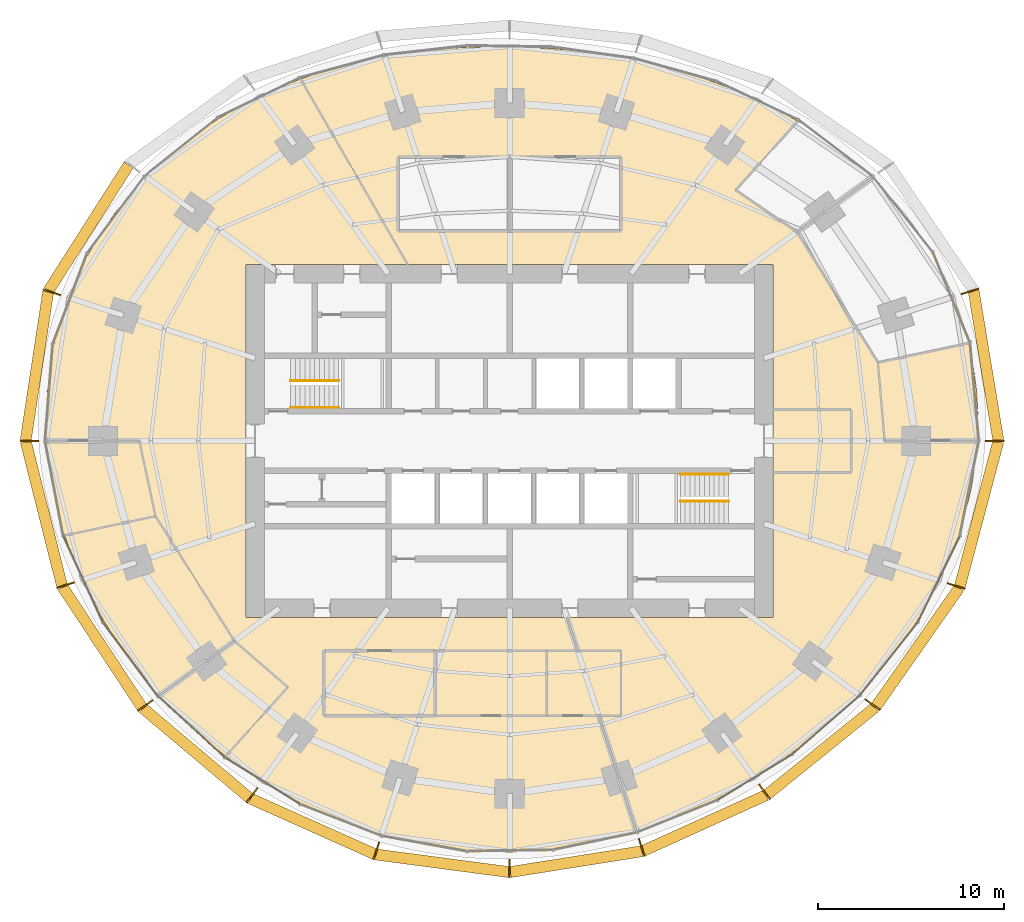
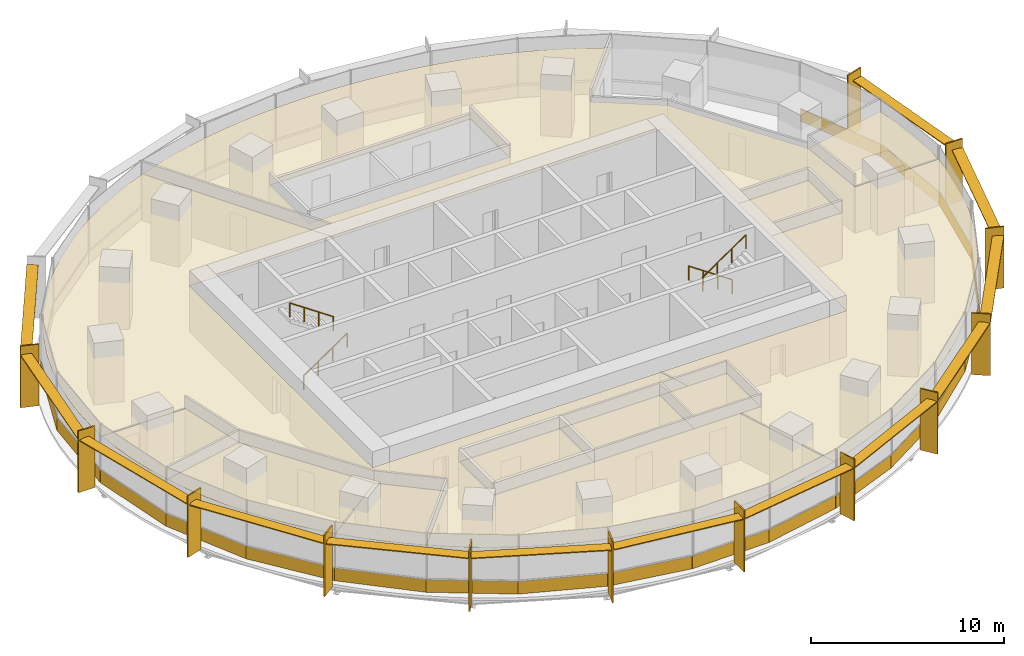
# One storey, part 13 of 14: 29 coverings, 26 shading devices, 4 railings.
"""IFC4 building model written with IfcOpenShell, lengths in metres."""

import ifcopenshell
import ifcopenshell.guid

model = None  # the IFC model being written
_history = None  # IfcOwnerHistory: only IFC2X3 demands one
_inside = {}  # id of a spatial element -> (the spatial element, [elements in it])
_under = {}  # id of a project, library or spatial element -> (it, [spatial elements below it])
_declared = {}  # id of a project -> (the project, [libraries it declares])
_typed = {}  # id of a type object -> (the type object, [elements of that type])
_made_of = {}  # id of a material, layer set ... -> (it, [elements and type objects made of it])


def new_model(schema):
    """Start an empty IFC model of exactly this schema.

    Asked for "IFC4X3", IfcOpenShell would pick the latest addendum, in which some entities
    have other attributes; the version numbers below select the first issue.
    IFC2X3 requires an IfcOwnerHistory on every rooted entity: one is made here for all.
    """
    global model, _history
    if schema == "IFC4X3":
        model = ifcopenshell.file(schema_version=(4, 3, 0, 0))
    else:
        model = ifcopenshell.file(schema=schema)
    _inside.clear()
    _under.clear()
    _declared.clear()
    _typed.clear()
    _made_of.clear()
    _history = None
    if model.schema == "IFC2X3":
        org = make("IfcOrganization", Name="unknown")
        user = make(
            "IfcPersonAndOrganization",
            ThePerson=make("IfcPerson", FamilyName="unknown"),
            TheOrganization=org,
        )
        app = make(
            "IfcApplication",
            ApplicationDeveloper=org,
            Version="unknown",
            ApplicationFullName="unknown",
            ApplicationIdentifier="unknown",
        )
        _history = make(
            "IfcOwnerHistory",
            OwningUser=user,
            OwningApplication=app,
            ChangeAction="ADDED",
            CreationDate=0,
        )
    return model


def make(cls, **values):
    """One entity of the class cls with the attributes given. An attribute that is None is left unset."""
    return model.create_entity(
        cls, **{name: value for name, value in values.items() if value is not None}
    )


def rooted(cls, **values):
    """An entity with a GlobalId (a new one), such as an element, a storey or a relation."""
    return make(cls, GlobalId=ifcopenshell.guid.new(), OwnerHistory=_history, **values)


def si_unit(unit_type, name, prefix=None):
    """IfcSIUnit, for example si_unit("LENGTHUNIT", "METRE", prefix="MILLI")."""
    return make("IfcSIUnit", UnitType=unit_type, Prefix=prefix, Name=name)


def assignment(units):
    """IfcUnitAssignment: the units of a project."""
    return None if units is None else make("IfcUnitAssignment", Units=units)


def point(xyz):
    """IfcCartesianPoint."""
    return None if xyz is None else make("IfcCartesianPoint", Coordinates=xyz)


def direction(xyz):
    """IfcDirection."""
    return None if xyz is None else make("IfcDirection", DirectionRatios=xyz)


def frame(location, z_axis=None, x_axis=None):
    """IfcAxis2Placement3D, a coordinate frame: its origin and axes. An axis left out is left unset."""
    return make(
        "IfcAxis2Placement3D",
        Location=point(location),
        Axis=direction(z_axis),
        RefDirection=direction(x_axis),
    )


def frame_2d(location, x_axis=None):
    """IfcAxis2Placement2D, a coordinate frame in the plane: its origin and x axis."""
    return make(
        "IfcAxis2Placement2D", Location=point(location), RefDirection=direction(x_axis)
    )


def origin():
    """The frame at (0, 0, 0) with its axes left unset."""
    return frame((0.0, 0.0, 0.0))


def origin_2d():
    """The frame at (0, 0) in the plane with its x axis left unset."""
    return frame_2d((0.0, 0.0))


def place(relative_to, where):
    """IfcLocalPlacement: puts the frame where relative to a parent placement (None: the world)."""
    return make(
        "IfcLocalPlacement", PlacementRelTo=relative_to, RelativePlacement=where
    )


def context(
    kind, dimensions, precision=None, world=None, true_north=None, identifier=None
):
    """IfcGeometricRepresentationContext, for example the 3D "Model" context."""
    return make(
        "IfcGeometricRepresentationContext",
        ContextIdentifier=identifier,
        ContextType=kind,
        CoordinateSpaceDimension=dimensions,
        Precision=precision,
        WorldCoordinateSystem=world,
        TrueNorth=true_north,
    )


def subcontext(parent, identifier, kind, view, scale=None):
    """IfcGeometricRepresentationSubContext, for example "Body" below "Model"."""
    return make(
        "IfcGeometricRepresentationSubContext",
        ContextIdentifier=identifier,
        ContextType=kind,
        ParentContext=parent,
        TargetScale=scale,
        TargetView=view,
    )


def project(units=None, contexts=None):
    """IfcProject with its units and contexts."""
    return rooted(
        "IfcProject",
        Name="project",
        RepresentationContexts=contexts,
        UnitsInContext=assignment(units),
    )


def spatial(cls, under=None, at=None, **own):
    """A site, building, storey or space (cls), placed at a placement, below another one or the project."""
    s = rooted(cls, ObjectPlacement=at, **own)
    if under is not None:
        _under.setdefault(under.id(), (under, []))[1].append(s)
    return s


def polyline(points):
    """IfcPolyline through the points."""
    return make("IfcPolyline", Points=[point(p) for p in points])


def profile(cls, at=None, kind="AREA", **sizes):
    """A parametric profile (cls). Its sizes go by their IFC names, for example OverallWidth=200.0."""
    return make(cls, ProfileType=kind, Position=at, **sizes)


def rectangle(**sizes):
    """IfcRectangleProfileDef."""
    return profile("IfcRectangleProfileDef", **sizes)


def circle(**sizes):
    """IfcCircleProfileDef."""
    return profile("IfcCircleProfileDef", **sizes)


def outline(outer, holes=None, kind="AREA"):
    """IfcArbitraryClosedProfileDef: a profile drawn as a closed curve; with holes, ...WithVoids."""
    if holes is None:
        return make("IfcArbitraryClosedProfileDef", ProfileType=kind, OuterCurve=outer)
    return make(
        "IfcArbitraryProfileDefWithVoids",
        ProfileType=kind,
        OuterCurve=outer,
        InnerCurves=holes,
    )


def extrude(swept, where, along, depth):
    """IfcExtrudedAreaSolid: the profile swept, set in the frame where, extruded along a direction by depth."""
    return make(
        "IfcExtrudedAreaSolid",
        SweptArea=swept,
        Position=where,
        ExtrudedDirection=direction(along),
        Depth=depth,
    )


def shape(context_of_items, identifier, shape_type, items):
    """IfcShapeRepresentation: the items that make up one representation, for example the "Body"."""
    return make(
        "IfcShapeRepresentation",
        ContextOfItems=context_of_items,
        RepresentationIdentifier=identifier,
        RepresentationType=shape_type,
        Items=items,
    )


def material(Name=None, Category=None):
    """IfcMaterial."""
    return make("IfcMaterial", Name=Name, Category=Category)


def layer(
    of_material, thickness, ventilated=None, Name=None, Category=None, Priority=None
):
    """IfcMaterialLayer: one layer of a wall or slab, of a material (None: an air gap)."""
    return make(
        "IfcMaterialLayer",
        Material=of_material,
        LayerThickness=thickness,
        IsVentilated=ventilated,
        Name=Name,
        Category=Category,
        Priority=Priority,
    )


def layer_set(layers, Name=None):
    """IfcMaterialLayerSet."""
    return make("IfcMaterialLayerSet", MaterialLayers=layers, LayerSetName=Name)


def made_of(thing, what):
    """Note that an element or type object is made of a material, layer set ...; save() writes the relation."""
    if what is not None:
        _made_of.setdefault(what.id(), (what, []))[1].append(thing)
    return thing


def type_object(cls, material=None, **own):
    """A type object (cls), such as IfcWallType, which elements share."""
    return made_of(rooted(cls, **own), material)


def element(
    cls,
    number,
    at=None,
    inside=None,
    cuts=None,
    type_object=None,
    material=None,
    context=None,
    identifier="Body",
    shape_type=None,
    held_by="IfcProductDefinitionShape",
    body=None,
    shapes=None,
    **own,
):
    """One element of the class cls, such as IfcWall. Its Tag is "e" and its number.

    at: its placement. inside: the storey or other place that contains it. cuts: it is an
    opening in that element (IfcRelVoidsElement). A single representation is given by context,
    identifier, shape_type and body (its items); several are given by shapes. held_by: the class
    of the entity that holds the representations. save() writes the other relations.
    """
    e = rooted(cls, Tag="e%d" % number, ObjectPlacement=at, **own)
    if body is not None:
        shapes = [shape(context, identifier, shape_type, body)]
    if shapes is not None:
        e.Representation = make(held_by, Representations=shapes)
    if inside is not None:
        _inside.setdefault(inside.id(), (inside, []))[1].append(e)
    if cuts is not None:
        rooted(
            "IfcRelVoidsElement", RelatingBuildingElement=cuts, RelatedOpeningElement=e
        )
    if type_object is not None:
        _typed.setdefault(type_object.id(), (type_object, []))[1].append(e)
    return made_of(e, material)


def aggregate(whole, parts):
    """IfcRelAggregates: a whole, such as a stair, and the parts it consists of."""
    return rooted("IfcRelAggregates", RelatingObject=whole, RelatedObjects=parts)


def save(model, path):
    """Write the relations noted so far, then the file.

    IfcRelAggregates (storeys below a building ...), IfcRelContainedInSpatialStructure (elements
    in a storey), IfcRelDefinesByType, IfcRelAssociatesMaterial and IfcRelDeclares: one each for
    every whole, place, type object, material and project.
    """
    for whole, parts in _under.values():
        aggregate(whole, parts)
    for where, things in _inside.values():
        rooted(
            "IfcRelContainedInSpatialStructure",
            RelatedElements=things,
            RelatingStructure=where,
        )
    for kind, things in _typed.values():
        rooted("IfcRelDefinesByType", RelatedObjects=things, RelatingType=kind)
    for what, things in _made_of.values():
        rooted("IfcRelAssociatesMaterial", RelatedObjects=things, RelatingMaterial=what)
    for by, libraries in _declared.values():
        rooted("IfcRelDeclares", RelatingContext=by, RelatedDefinitions=libraries)
    model.write(path)


model = new_model("IFC4")

# Units and contexts
model_context = context("Model", 3, precision=1e-05, world=origin(), true_north=direction((0.0, 1.0)))
body_context = subcontext(model_context, "Body", "Model", "MODEL_VIEW")
ifc_project = project(units=[si_unit("LENGTHUNIT", "METRE"), si_unit("AREAUNIT", "SQUARE_METRE"), si_unit("VOLUMEUNIT", "CUBIC_METRE"), si_unit("PLANEANGLEUNIT", "RADIAN"), si_unit("MASSUNIT", "GRAM", prefix="KILO")], contexts=[model_context])

# Site, building, storey
site_placement = place(None, origin())
site = spatial("IfcSite", under=ifc_project, at=site_placement, CompositionType="ELEMENT")
building_placement = place(site_placement, origin())
building = spatial("IfcBuilding", under=site, at=building_placement, Name="Marramba Exchange Tower", CompositionType="ELEMENT")
storey_placement = place(building_placement, frame((0.0, 0.0, 96.300048828125)))
storey = spatial("IfcBuildingStorey", under=building, at=storey_placement, Name="L22", CompositionType="ELEMENT", Elevation=96.300048828125)

# Shading devices
ifc_material_1 = material(Name="Aluminium blade, timber-look bronze finish", Category="wood")
ifc_layer_1 = layer(ifc_material_1, 0.080078125)
ifc_layer_set_1 = layer_set([ifc_layer_1], Name="Floor-edge blade 1000x80")
shading_device_type_1 = type_object("IfcShadingDeviceType", Name="Floor-edge blade 1000x80", PredefinedType="USERDEFINED", material=ifc_layer_set_1)
for number, where, z_axis, x_axis, name in (
    (1, (26.132080078125, 0.0, -0.159912109375), (0.0, 0.0, 1.0), (1.0, 0.0, 0.0), "Floor-edge blade FB1 L22 TC01"),
    (2, (24.798583984375, 8.0576171875, -0.159912109375), (0.0, 0.0, 1.0), (0.951056516295, 0.309016994375, 0.0), "Floor-edge blade FB1 L22 TC02"),
    (3, (-24.653076171875, 8.01025390625, -0.159912109375), (0.0, 0.0, 1.0), (-0.951056516295, 0.309016994375, 0.0), "Floor-edge blade FB1 L22 TC10"),
    (4, (-25.867919921875, 0.0, -0.159912109375), (0.0, 0.0, 1.0), (-1.0, 0.0, 0.0), "Floor-edge blade FB1 L22 TC11"),
    (5, (-23.90673828125, -7.767822265625, -0.159912109375), (0.0, 0.0, 1.0), (-0.951056516295, -0.309016994375, 0.0), "Floor-edge blade FB1 L22 TC12"),
    (6, (-19.618408203125, -14.253662109375, -0.159912109375), (0.0, 0.0, 1.0), (-0.809016994375, -0.587785252292, 0.0), "Floor-edge blade FB1 L22 TC13"),
    (7, (-13.866943359375, -19.08642578125, -0.159912109375), (0.0, 0.0, 1.0), (-0.587785252292, -0.809016994375, 0.0), "Floor-edge blade FB1 L22 TC14"),
    (8, (-7.173828125, -22.078857421875, -0.159912109375), (0.0, 0.0, 1.0), (-0.309016994375, -0.951056516295, 0.0), "Floor-edge blade FB1 L22 TC15"),
    (9, (0.0, -23.02685546875, -0.159912109375), (0.0, 0.0, 1.0), (0.0, -1.0, 0.0), "Floor-edge blade FB1 L22 TC16"),
    (10, (7.115966796875, -21.900634765625, -0.159912109375), (0.0, 0.0, 1.0), (0.309016994375, -0.951056516295, 0.0), "Floor-edge blade FB1 L22 TC17"),
    (11, (13.733154296875, -18.902099609375, -0.159912109375), (0.0, 0.0, 1.0), (0.587785252292, -0.809016994375, 0.0), "Floor-edge blade FB1 L22 TC18"),
    (12, (19.555908203125, -14.208251953125, -0.159912109375), (0.0, 0.0, 1.0), (0.809016994375, -0.587785252292, 0.0), "Floor-edge blade FB1 L22 TC19"),
    (13, (24.052001953125, -7.81494140625, -0.159912109375), (0.0, 0.0, 1.0), (0.951056516295, -0.309016994375, 0.0), "Floor-edge blade FB1 L22 TC20"),
):
    element("IfcShadingDevice", number, at=place(storey_placement, frame(where, z_axis=z_axis, x_axis=x_axis)), inside=storey, type_object=shading_device_type_1, Name=name, ObjectType="FIN", PredefinedType="USERDEFINED", context=body_context, shape_type="SweptSolid", body=[
        extrude(rectangle(XDim=1.0, YDim=0.080078125, at=origin_2d()), origin(), (0.0, 0.0, 1.0), 3.89990234375),
    ])
ifc_material_2 = material(Name="Aluminium sunshade, bronze anodised", Category="aluminium")
ifc_layer_2 = layer(ifc_material_2, 0.06005859375)
ifc_layer_set_2 = layer_set([ifc_layer_2], Name="SUNSHADE blade 600x60")
shading_device_type_2 = type_object("IfcShadingDeviceType", Name="SUNSHADE blade 600x60", PredefinedType="USERDEFINED", material=ifc_layer_set_2)
shading_device_1_placement = place(storey_placement, frame((25.660400390625, 4.0595703125, 3.159912109375), z_axis=(0.0, 0.0, 1.0), x_axis=(-0.163227675764, 0.986588427798, 0.0)))
element("IfcShadingDevice", 14, at=shading_device_1_placement, inside=storey, type_object=shading_device_type_2, Name="Sunshade SS1 L22 bay 01", ObjectType="SUNSHADE", PredefinedType="USERDEFINED", context=body_context, shape_type="SweptSolid", body=[
    extrude(rectangle(XDim=8.149658203125, YDim=0.60009765625, at=origin_2d()), origin(), (0.0, 0.0, 1.0), 0.06005859375),
])
shading_device_2_placement = place(storey_placement, frame((-22.6708984375, 11.482421875, 3.159912109375), z_axis=(0.0, 0.0, 1.0), x_axis=(-0.537284770546, -0.843400898351, 0.0)))
element("IfcShadingDevice", 15, at=shading_device_2_placement, inside=storey, type_object=shading_device_type_2, Name="Sunshade SS1 L22 bay 09", ObjectType="SUNSHADE", PredefinedType="USERDEFINED", context=body_context, shape_type="SweptSolid", body=[
    extrude(rectangle(XDim=8.007080078125, YDim=0.60009765625, at=origin_2d()), origin(), (0.0, 0.0, 1.0), 0.06005859375),
])
shading_device_3_placement = place(storey_placement, frame((-25.455810546875, 4.0361328125, 3.159912109375), z_axis=(0.0, 0.0, 1.0), x_axis=(-0.14999307077, -0.988687047918, 0.0)))
element("IfcShadingDevice", 16, at=shading_device_3_placement, inside=storey, type_object=shading_device_type_2, Name="Sunshade SS1 L22 bay 10", ObjectType="SUNSHADE", PredefinedType="USERDEFINED", context=body_context, shape_type="SweptSolid", body=[
    extrude(rectangle(XDim=8.08447265625, YDim=0.60009765625, at=origin_2d()), origin(), (0.0, 0.0, 1.0), 0.06005859375),
])
shading_device_4_placement = place(storey_placement, frame((-25.08251953125, -3.914794921875, 3.159912109375), z_axis=(0.0, 0.0, 1.0), x_axis=(0.244116522902, -0.969745906537, 0.0)))
element("IfcShadingDevice", 17, at=shading_device_4_placement, inside=storey, type_object=shading_device_type_2, Name="Sunshade SS1 L22 bay 11", ObjectType="SUNSHADE", PredefinedType="USERDEFINED", context=body_context, shape_type="SweptSolid", body=[
    extrude(rectangle(XDim=7.993896484375, YDim=0.60009765625, at=origin_2d()), origin(), (0.0, 0.0, 1.0), 0.06005859375),
])
shading_device_5_placement = place(storey_placement, frame((-21.938720703125, -11.100341796875, 3.159912109375), z_axis=(0.0, 0.0, 1.0), x_axis=(0.550792342935, -0.834642315585, 0.0)))
element("IfcShadingDevice", 18, at=shading_device_5_placement, inside=storey, type_object=shading_device_type_2, Name="Sunshade SS1 L22 bay 12", ObjectType="SUNSHADE", PredefinedType="USERDEFINED", context=body_context, shape_type="SweptSolid", body=[
    extrude(rectangle(XDim=7.757568359375, YDim=0.60009765625, at=origin_2d()), origin(), (0.0, 0.0, 1.0), 0.06005859375),
])
shading_device_6_placement = place(storey_placement, frame((-16.88232421875, -16.8095703125, 3.159912109375), z_axis=(0.0, 0.0, 1.0), x_axis=(0.76513863304, -0.643865569998, 0.0)))
element("IfcShadingDevice", 19, at=shading_device_6_placement, inside=storey, type_object=shading_device_type_2, Name="Sunshade SS1 L22 bay 13", ObjectType="SUNSHADE", PredefinedType="USERDEFINED", context=body_context, shape_type="SweptSolid", body=[
    extrude(rectangle(XDim=7.49462890625, YDim=0.60009765625, at=origin_2d()), origin(), (0.0, 0.0, 1.0), 0.06005859375),
])
shading_device_7_placement = place(storey_placement, frame((-10.610107421875, -20.758544921875, 3.159912109375), z_axis=(0.0, 0.0, 1.0), x_axis=(0.912735880581, -0.408550134377, 0.0)))
element("IfcShadingDevice", 20, at=shading_device_7_placement, inside=storey, type_object=shading_device_type_2, Name="Sunshade SS1 L22 bay 14", ObjectType="SUNSHADE", PredefinedType="USERDEFINED", context=body_context, shape_type="SweptSolid", body=[
    extrude(rectangle(XDim=7.314208984375, YDim=0.60009765625, at=origin_2d()), origin(), (0.0, 0.0, 1.0), 0.06005859375),
])
shading_device_8_placement = place(storey_placement, frame((-3.617919921875, -22.748046875, 3.159912109375), z_axis=(0.0, 0.0, 1.0), x_axis=(0.991350478855, -0.131241106646, 0.0)))
element("IfcShadingDevice", 21, at=shading_device_8_placement, inside=storey, type_object=shading_device_type_2, Name="Sunshade SS1 L22 bay 15", ObjectType="SUNSHADE", PredefinedType="USERDEFINED", context=body_context, shape_type="SweptSolid", body=[
    extrude(rectangle(XDim=7.21875, YDim=0.60009765625, at=origin_2d()), origin(), (0.0, 0.0, 1.0), 0.06005859375),
])
shading_device_9_placement = place(storey_placement, frame((3.5888671875, -22.658935546875, 3.159912109375), z_axis=(0.0, 0.0, 1.0), x_axis=(0.987704817912, 0.15633039587, 0.0)))
element("IfcShadingDevice", 22, at=shading_device_9_placement, inside=storey, type_object=shading_device_type_2, Name="Sunshade SS1 L22 bay 16", ObjectType="SUNSHADE", PredefinedType="USERDEFINED", context=body_context, shape_type="SweptSolid", body=[
    extrude(rectangle(XDim=7.18701171875, YDim=0.60009765625, at=origin_2d()), origin(), (0.0, 0.0, 1.0), 0.06005859375),
])
shading_device_10_placement = place(storey_placement, frame((10.514404296875, -20.577392578125, 3.159912109375), z_axis=(0.0, 0.0, 1.0), x_axis=(0.910692240548, 0.413085515366, 0.0)))
element("IfcShadingDevice", 23, at=shading_device_10_placement, inside=storey, type_object=shading_device_type_2, Name="Sunshade SS1 L22 bay 17", ObjectType="SUNSHADE", PredefinedType="USERDEFINED", context=body_context, shape_type="SweptSolid", body=[
    extrude(rectangle(XDim=7.24755859375, YDim=0.60009765625, at=origin_2d()), origin(), (0.0, 0.0, 1.0), 0.06005859375),
])
shading_device_11_placement = place(storey_placement, frame((16.7841796875, -16.69482421875, 3.159912109375), z_axis=(0.0, 0.0, 1.0), x_axis=(0.777962439436, 0.628310785223, 0.0)))
element("IfcShadingDevice", 24, at=shading_device_11_placement, inside=storey, type_object=shading_device_type_2, Name="Sunshade SS1 L22 bay 18", ObjectType="SUNSHADE", PredefinedType="USERDEFINED", context=body_context, shape_type="SweptSolid", body=[
    extrude(rectangle(XDim=7.46142578125, YDim=0.60009765625, at=origin_2d()), origin(), (0.0, 0.0, 1.0), 0.06005859375),
])
shading_device_12_placement = place(storey_placement, frame((21.97998046875, -11.101318359375, 3.159912109375), z_axis=(0.0, 0.0, 1.0), x_axis=(0.574350885858, 0.818609222959, 0.0)))
element("IfcShadingDevice", 25, at=shading_device_12_placement, inside=storey, type_object=shading_device_type_2, Name="Sunshade SS1 L22 bay 19", ObjectType="SUNSHADE", PredefinedType="USERDEFINED", context=body_context, shape_type="SweptSolid", body=[
    extrude(rectangle(XDim=7.7978515625, YDim=0.60009765625, at=origin_2d()), origin(), (0.0, 0.0, 1.0), 0.06005859375),
])
shading_device_13_placement = place(storey_placement, frame((25.287109375, -3.9384765625, 3.159912109375), z_axis=(0.0, 0.0, 1.0), x_axis=(0.256422950151, 0.966564674833, 0.0)))
element("IfcShadingDevice", 26, at=shading_device_13_placement, inside=storey, type_object=shading_device_type_2, Name="Sunshade SS1 L22 bay 20", ObjectType="SUNSHADE", PredefinedType="USERDEFINED", context=body_context, shape_type="SweptSolid", body=[
    extrude(rectangle(XDim=8.0693359375, YDim=0.60009765625, at=origin_2d()), origin(), (0.0, 0.0, 1.0), 0.06005859375),
])

# Coverings
ifc_material_3 = material(Name="Aluminium spandrel panel, bronze anodised, insulated", Category="aluminium")
ifc_layer_3 = layer(ifc_material_3, 0.050048828125)
ifc_layer_set_3 = layer_set([ifc_layer_3], Name="Spandrel panel 800")
covering_type_1 = type_object("IfcCoveringType", Name="Spandrel panel 800", PredefinedType="CLADDING", material=ifc_layer_set_3)
covering_1_placement = place(storey_placement, frame((25.04541015625, 2.63671875, 0.0), z_axis=(0.0, 0.0, 1.0), x_axis=(-0.089412890131, 0.995994646109, 0.0)))
element("IfcCovering", 27, at=covering_1_placement, inside=storey, type_object=covering_type_1, Name="Spandrel panel SP1 L22 F01", PredefinedType="CLADDING", context=body_context, shape_type="SweptSolid", body=[
    extrude(rectangle(XDim=5.29443359375, YDim=0.050048828125, at=origin_2d()), origin(), (0.0, 0.0, 1.0), 0.800048828125),
])
covering_2_placement = place(storey_placement, frame((23.81201171875, 7.715576171875, 0.0), z_axis=(0.0, 0.0, 1.0), x_axis=(-0.377821185272, 0.925878583811, 0.0)))
element("IfcCovering", 28, at=covering_2_placement, inside=storey, type_object=covering_type_1, Name="Spandrel panel SP1 L22 F02", PredefinedType="CLADDING", context=body_context, shape_type="SweptSolid", body=[
    extrude(rectangle(XDim=5.27587890625, YDim=0.050048828125, at=origin_2d()), origin(), (0.0, 0.0, 1.0), 0.800048828125),
])
covering_3_placement = place(storey_placement, frame((-23.671875, 7.677490234375, 0.0), z_axis=(0.0, 0.0, 1.0), x_axis=(-0.354844476365, -0.934925343326, 0.0)))
element("IfcCovering", 29, at=covering_3_placement, inside=storey, type_object=covering_type_1, Name="Spandrel panel SP1 L22 F14", PredefinedType="CLADDING", context=body_context, shape_type="SweptSolid", body=[
    extrude(rectangle(XDim=5.2373046875, YDim=0.050048828125, at=origin_2d()), origin(), (0.0, 0.0, 1.0), 0.800048828125),
])
covering_4_placement = place(storey_placement, frame((-24.8095703125, 2.614501953125, 0.0), z_axis=(0.0, 0.0, 1.0), x_axis=(-0.079459700697, -0.996838079111, 0.0)))
element("IfcCovering", 30, at=covering_4_placement, inside=storey, type_object=covering_type_1, Name="Spandrel panel SP1 L22 F15", PredefinedType="CLADDING", context=body_context, shape_type="SweptSolid", body=[
    extrude(rectangle(XDim=5.245849609375, YDim=0.050048828125, at=origin_2d()), origin(), (0.0, 0.0, 1.0), 0.800048828125),
])
covering_5_placement = place(storey_placement, frame((-24.5283203125, -2.5546875, 0.0), z_axis=(0.0, 0.0, 1.0), x_axis=(0.188227222909, -0.982125507538, 0.0)))
element("IfcCovering", 31, at=covering_5_placement, inside=storey, type_object=covering_type_1, Name="Spandrel panel SP1 L22 F16", PredefinedType="CLADDING", context=body_context, shape_type="SweptSolid", body=[
    extrude(rectangle(XDim=5.20263671875, YDim=0.050048828125, at=origin_2d()), origin(), (0.0, 0.0, 1.0), 0.800048828125),
])
covering_6_placement = place(storey_placement, frame((-22.973876953125, -7.43212890625, 0.0), z_axis=(0.0, 0.0, 1.0), x_axis=(0.416737850896, -0.909026712275, 0.0)))
element("IfcCovering", 32, at=covering_6_placement, inside=storey, type_object=covering_type_1, Name="Spandrel panel SP1 L22 F17", PredefinedType="CLADDING", context=body_context, shape_type="SweptSolid", body=[
    extrude(rectangle(XDim=5.10986328125, YDim=0.050048828125, at=origin_2d()), origin(), (0.0, 0.0, 1.0), 0.800048828125),
])
covering_7_placement = place(storey_placement, frame((-20.419921875, -11.75439453125, 0.0), z_axis=(0.0, 0.0, 1.0), x_axis=(0.597304701232, -0.802014397555, 0.0)))
element("IfcCovering", 33, at=covering_7_placement, inside=storey, type_object=covering_type_1, Name="Spandrel panel SP1 L22 F18", PredefinedType="CLADDING", context=body_context, shape_type="SweptSolid", body=[
    extrude(rectangle(XDim=4.986572265625, YDim=0.050048828125, at=origin_2d()), origin(), (0.0, 0.0, 1.0), 0.800048828125),
])
covering_8_placement = place(storey_placement, frame((-17.135986328125, -15.39599609375, 0.0), z_axis=(0.0, 0.0, 1.0), x_axis=(0.737821889246, -0.674995451651, 0.0)))
element("IfcCovering", 34, at=covering_8_placement, inside=storey, type_object=covering_type_1, Name="Spandrel panel SP1 L22 F19", PredefinedType="CLADDING", context=body_context, shape_type="SweptSolid", body=[
    extrude(rectangle(XDim=4.865234375, YDim=0.050048828125, at=origin_2d()), origin(), (0.0, 0.0, 1.0), 0.800048828125),
])
covering_9_placement = place(storey_placement, frame((-13.31787109375, -18.300537109375, 0.0), z_axis=(0.0, 0.0, 1.0), x_axis=(0.848354599309, -0.529428440708, 0.0)))
element("IfcCovering", 35, at=covering_9_placement, inside=storey, type_object=covering_type_1, Name="Spandrel panel SP1 L22 F20", PredefinedType="CLADDING", context=body_context, shape_type="SweptSolid", body=[
    extrude(rectangle(XDim=4.76953125, YDim=0.050048828125, at=origin_2d()), origin(), (0.0, 0.0, 1.0), 0.800048828125),
])
covering_10_placement = place(storey_placement, frame((-9.10302734375, -20.416748046875, 0.0), z_axis=(0.0, 0.0, 1.0), x_axis=(0.931818387481, -0.362924913381, 0.0)))
element("IfcCovering", 36, at=covering_10_placement, inside=storey, type_object=covering_type_1, Name="Spandrel panel SP1 L22 F21", PredefinedType="CLADDING", context=body_context, shape_type="SweptSolid", body=[
    extrude(rectangle(XDim=4.704345703125, YDim=0.050048828125, at=origin_2d()), origin(), (0.0, 0.0, 1.0), 0.800048828125),
])
covering_11_placement = place(storey_placement, frame((-4.616943359375, -21.685302734375, 0.0), z_axis=(0.0, 0.0, 1.0), x_axis=(0.984031866928, -0.177992373069, 0.0)))
element("IfcCovering", 37, at=covering_11_placement, inside=storey, type_object=covering_type_1, Name="Spandrel panel SP1 L22 F22", PredefinedType="CLADDING", context=body_context, shape_type="SweptSolid", body=[
    extrude(rectangle(XDim=4.662841796875, YDim=0.050048828125, at=origin_2d()), origin(), (0.0, 0.0, 1.0), 0.800048828125),
])
covering_12_placement = place(storey_placement, frame((-0.003662109375, -22.065185546875, 0.0), z_axis=(0.0, 0.0, 1.0), x_axis=(0.999884797651, 0.015178650325, 0.0)))
element("IfcCovering", 38, at=covering_12_placement, inside=storey, type_object=covering_type_1, Name="Spandrel panel SP1 L22 F23", PredefinedType="CLADDING", context=body_context, shape_type="SweptSolid", body=[
    extrude(rectangle(XDim=4.638916015625, YDim=0.050048828125, at=origin_2d()), origin(), (0.0, 0.0, 1.0), 0.800048828125),
])
covering_13_placement = place(storey_placement, frame((4.58447265625, -21.56103515625, 0.0), z_axis=(0.0, 0.0, 1.0), x_axis=(0.979310200528, 0.202364846604, 0.0)))
element("IfcCovering", 39, at=covering_13_placement, inside=storey, type_object=covering_type_1, Name="Spandrel panel SP1 L22 F24", PredefinedType="CLADDING", context=body_context, shape_type="SweptSolid", body=[
    extrude(rectangle(XDim=4.6337890625, YDim=0.050048828125, at=origin_2d()), origin(), (0.0, 0.0, 1.0), 0.800048828125),
])
covering_14_placement = place(storey_placement, frame((9.014892578125, -20.225341796875, 0.0), z_axis=(0.0, 0.0, 1.0), x_axis=(0.928148914987, 0.372209069755, 0.0)))
element("IfcCovering", 40, at=covering_14_placement, inside=storey, type_object=covering_type_1, Name="Spandrel panel SP1 L22 F25", PredefinedType="CLADDING", context=body_context, shape_type="SweptSolid", body=[
    extrude(rectangle(XDim=4.657958984375, YDim=0.050048828125, at=origin_2d()), origin(), (0.0, 0.0, 1.0), 0.800048828125),
])
covering_15_placement = place(storey_placement, frame((13.193115234375, -18.125244140625, 0.0), z_axis=(0.0, 0.0, 1.0), x_axis=(0.853109118827, 0.521732528576, 0.0)))
element("IfcCovering", 41, at=covering_15_placement, inside=storey, type_object=covering_type_1, Name="Spandrel panel SP1 L22 F26", PredefinedType="CLADDING", context=body_context, shape_type="SweptSolid", body=[
    extrude(rectangle(XDim=4.7275390625, YDim=0.050048828125, at=origin_2d()), origin(), (0.0, 0.0, 1.0), 0.800048828125),
])
covering_16_placement = place(storey_placement, frame((17.038818359375, -15.30029296875, 0.0), z_axis=(0.0, 0.0, 1.0), x_axis=(0.754385510875, 0.656431642277, 0.0)))
element("IfcCovering", 42, at=covering_16_placement, inside=storey, type_object=covering_type_1, Name="Spandrel panel SP1 L22 F27", PredefinedType="CLADDING", context=body_context, shape_type="SweptSolid", body=[
    extrude(rectangle(XDim=4.849609375, YDim=0.050048828125, at=origin_2d()), origin(), (0.0, 0.0, 1.0), 0.800048828125),
])
covering_17_placement = place(storey_placement, frame((20.425048828125, -11.747802734375, 0.0), z_axis=(0.0, 0.0, 1.0), x_axis=(0.621807470279, 0.783170141097, 0.0)))
element("IfcCovering", 43, at=covering_17_placement, inside=storey, type_object=covering_type_1, Name="Spandrel panel SP1 L22 F28", PredefinedType="CLADDING", context=body_context, shape_type="SweptSolid", body=[
    extrude(rectangle(XDim=5.00732421875, YDim=0.050048828125, at=origin_2d()), origin(), (0.0, 0.0, 1.0), 0.800048828125),
])
covering_18_placement = place(storey_placement, frame((23.114013671875, -7.47021484375, 0.0), z_axis=(0.0, 0.0, 1.0), x_axis=(0.439086346903, 0.898444867515, 0.0)))
element("IfcCovering", 44, at=covering_18_placement, inside=storey, type_object=covering_type_1, Name="Spandrel panel SP1 L22 F29", PredefinedType="CLADDING", context=body_context, shape_type="SweptSolid", body=[
    extrude(rectangle(XDim=5.156982421875, YDim=0.050048828125, at=origin_2d()), origin(), (0.0, 0.0, 1.0), 0.800048828125),
])
covering_19_placement = place(storey_placement, frame((24.76416015625, -2.576904296875, 0.0), z_axis=(0.0, 0.0, 1.0), x_axis=(0.197048514193, 0.980393738788, 0.0)))
element("IfcCovering", 45, at=covering_19_placement, inside=storey, type_object=covering_type_1, Name="Spandrel panel SP1 L22 F30", PredefinedType="CLADDING", context=body_context, shape_type="SweptSolid", body=[
    extrude(rectangle(XDim=5.2568359375, YDim=0.050048828125, at=origin_2d()), origin(), (0.0, 0.0, 1.0), 0.800048828125),
])

# Railings
ifc_material_4 = material(Name="Stainless steel handrail", Category="steel")
railing_type = type_object("IfcRailingType", Name="Stair handrail 900", PredefinedType="HANDRAIL", material=ifc_material_4)
railing_1_placement = place(storey_placement, frame((-11.800048828125, 1.800048828125, 0.17724609375)))
element("IfcRailing", 46, at=railing_1_placement, inside=storey, type_object=railing_type, Name="Handrail HR1 ST1 L22 flight 1", PredefinedType="HANDRAIL", context=body_context, shape_type="SweptSolid", body=[
    extrude(circle(Radius=0.02392578125, at=origin_2d()), frame((0.0, 0.0, 0.8759765625), z_axis=(0.826240473404, 0.0, 0.563317565952), x_axis=(0.0, 1.0, 0.0)), (0.0, 0.0, 1.0), 3.14697265625),
    extrude(circle(Radius=0.02099609375, at=origin_2d()), origin(), (0.0, 0.0, 1.0), 0.851806640625),
    extrude(circle(Radius=0.02099609375, at=origin_2d()), frame((0.86669921875, 0.0, 0.5908203125)), (0.0, 0.0, 1.0), 0.851806640625),
    extrude(circle(Radius=0.02099609375, at=origin_2d()), frame((1.7333984375, 0.0, 1.181884765625)), (0.0, 0.0, 1.0), 0.851806640625),
    extrude(circle(Radius=0.02099609375, at=origin_2d()), frame((2.60009765625, 0.0, 1.772705078125)), (0.0, 0.0, 1.0), 0.851806640625),
])
for number, where, name in (
    (47, (-9.199951171875, 3.25, 2.127197265625), "Handrail HR1 ST1 L22 flight 2"),
    (48, (11.800048828125, -1.800048828125, 0.17724609375), "Handrail HR1 ST2 L22 flight 1"),
):
    element("IfcRailing", number, at=place(storey_placement, frame(where)), inside=storey, type_object=railing_type, Name=name, PredefinedType="HANDRAIL", context=body_context, shape_type="SweptSolid", body=[
        extrude(circle(Radius=0.02392578125, at=origin_2d()), frame((0.0, 0.0, 0.8759765625), z_axis=(-0.826240473404, 0.0, 0.563317565952), x_axis=(0.0, -1.0, 0.0)), (0.0, 0.0, 1.0), 3.14697265625),
        extrude(circle(Radius=0.02099609375, at=origin_2d()), origin(), (0.0, 0.0, 1.0), 0.851806640625),
        extrude(circle(Radius=0.02099609375, at=origin_2d()), frame((-0.86669921875, 0.0, 0.5908203125)), (0.0, 0.0, 1.0), 0.851806640625),
        extrude(circle(Radius=0.02099609375, at=origin_2d()), frame((-1.7333984375, 0.0, 1.181884765625)), (0.0, 0.0, 1.0), 0.851806640625),
        extrude(circle(Radius=0.02099609375, at=origin_2d()), frame((-2.60009765625, 0.0, 1.772705078125)), (0.0, 0.0, 1.0), 0.851806640625),
    ])
railing_2_placement = place(storey_placement, frame((9.199951171875, -3.25, 2.127197265625)))
element("IfcRailing", 49, at=railing_2_placement, inside=storey, type_object=railing_type, Name="Handrail HR1 ST2 L22 flight 2", PredefinedType="HANDRAIL", context=body_context, shape_type="SweptSolid", body=[
    extrude(circle(Radius=0.02392578125, at=origin_2d()), frame((0.0, 0.0, 0.8759765625), z_axis=(0.826240473404, 0.0, 0.563317565952), x_axis=(0.0, 1.0, 0.0)), (0.0, 0.0, 1.0), 3.14697265625),
    extrude(circle(Radius=0.02099609375, at=origin_2d()), origin(), (0.0, 0.0, 1.0), 0.851806640625),
    extrude(circle(Radius=0.02099609375, at=origin_2d()), frame((0.86669921875, 0.0, 0.5908203125)), (0.0, 0.0, 1.0), 0.851806640625),
    extrude(circle(Radius=0.02099609375, at=origin_2d()), frame((1.7333984375, 0.0, 1.181884765625)), (0.0, 0.0, 1.0), 0.851806640625),
    extrude(circle(Radius=0.02099609375, at=origin_2d()), frame((2.60009765625, 0.0, 1.772705078125)), (0.0, 0.0, 1.0), 0.851806640625),
])

# Coverings
ifc_material_5 = material(Name="Mineral fibre ceiling tiles", Category="gypsum")
ifc_layer_4 = layer(ifc_material_5, 0.02001953125)
ifc_layer_set_4 = layer_set([ifc_layer_4], Name="Suspended ceiling 20")
covering_type_2 = type_object("IfcCoveringType", Name="Suspended ceiling 20", PredefinedType="CEILING", material=ifc_layer_set_4)
covering_20_placement = place(storey_placement, frame((0.0, 0.0, 2.89990234375)))
element("IfcCovering", 50, at=covering_20_placement, inside=storey, type_object=covering_type_2, Name="Ceiling CL1 L22 Market Supervision Office", PredefinedType="CEILING", context=body_context, shape_type="SweptSolid", body=[
    extrude(outline(polyline([(14.199951171875, -1.699951171875), (18.39990234375, -1.699951171875), (18.39990234375, 1.699951171875), (14.199951171875, 1.699951171875), (14.199951171875, 9.5), (-5.48486328125, 9.5), (-11.2548828125, 19.493896484375), (-10.127197265625, 19.875732421875), (-8.995361328125, 20.203857421875), (-7.862060546875, 20.4814453125), (-6.7294921875, 20.711181640625), (-5.59912109375, 20.896484375), (-4.47216796875, 21.0400390625), (-3.34912109375, 21.14453125), (-2.2294921875, 21.212158203125), (-1.11328125, 21.244384765625), (0.0, 21.2431640625), (1.111572265625, 21.208740234375), (2.22216796875, 21.1416015625), (3.332763671875, 21.041748046875), (4.444091796875, 20.907958984375), (5.556884765625, 20.739013671875), (6.671630859375, 20.533203125), (7.787841796875, 20.287841796875), (8.905029296875, 20.0009765625), (10.02197265625, 19.6689453125), (11.13671875, 19.289306640625), (12.24658203125, 18.8583984375), (13.348876953125, 18.373046875), (14.43896484375, 17.830810546875), (15.512451171875, 17.228271484375), (12.166748046875, 13.512451171875), (15.4765625, 11.244384765625), (19.839599609375, 4.217041015625), (20.201904296875, 0.0), (25.201904296875, 0.0), (25.077392578125, -1.314208984375), (24.8603515625, -2.61279296875), (24.555419921875, -3.88916015625), (24.16796875, -5.136962890625), (23.703125, -6.351318359375), (23.16748046875, -7.527587890625), (22.5673828125, -8.662841796875), (21.90869140625, -9.75439453125), (21.197509765625, -10.80078125), (20.439697265625, -11.80078125), (19.64013671875, -12.75439453125), (18.803466796875, -13.66162109375), (17.93359375, -14.5224609375), (17.033935546875, -15.33740234375), (16.107421875, -16.107421875), (15.156005859375, -16.83251953125), (14.181884765625, -17.51318359375), (13.1865234375, -18.14990234375), (12.171142578125, -18.741943359375), (11.13671875, -19.289306640625), (10.083984375, -19.791259765625), (9.0146484375, -20.2470703125), (7.928955078125, -20.65576171875), (6.82861328125, -21.01611328125), (4.808837890625, -14.800048828125), (6.0, -14.800048828125), (6.0, -11.300048828125), (3.671630859375, -11.300048828125), (3.086669921875, -9.5), (14.199951171875, -9.5), (14.199951171875, -1.699951171875)]), holes=[polyline([(-6.0, 11.300048828125), (0.0, 11.300048828125), (6.0, 11.300048828125), (6.0, 15.300048828125), (0.0, 15.300048828125), (-6.0, 15.300048828125), (-6.0, 11.300048828125)])]), origin(), (0.0, 0.0, 1.0), 0.02001953125),
])
covering_21_placement = place(storey_placement, frame((0.0, 0.0, 2.89990234375)))
element("IfcCovering", 51, at=covering_21_placement, inside=storey, type_object=covering_type_2, Name="Ceiling CL1 L22 Investigations Office", PredefinedType="CEILING", context=body_context, shape_type="SweptSolid", body=[
    extrude(outline(polyline([(-14.199951171875, -9.5), (3.086669921875, -9.5), (3.671630859375, -11.300048828125), (2.0, -11.300048828125), (-4.0, -11.300048828125), (-10.0, -11.300048828125), (-10.0, -14.800048828125), (-4.0, -14.800048828125), (2.0, -14.800048828125), (4.808837890625, -14.800048828125), (5.4091796875, -16.648193359375), (6.82861328125, -21.01611328125), (5.714599609375, -21.3271484375), (4.58837890625, -21.587158203125), (3.4521484375, -21.79541015625), (2.30712890625, -21.950439453125), (1.15576171875, -22.05126953125), (0.0, -22.096923828125), (-1.157470703125, -22.0869140625), (-2.314453125, -22.020751953125), (-3.468505859375, -21.898193359375), (-4.61669921875, -21.719482421875), (-5.7568359375, -21.484619140625), (-6.886474609375, -21.1943359375), (-8.00341796875, -20.84912109375), (-9.10498046875, -20.4501953125), (-10.189453125, -19.997802734375), (-11.2548828125, -19.493896484375), (-12.299072265625, -18.938720703125), (-13.3203125, -18.333984375), (-14.317138671875, -17.68017578125), (-15.28759765625, -16.978515625), (-11.94189453125, -13.2626953125), (-14.82080078125, -10.76806640625), (-19.069580078125, -4.053466796875), (-19.93798828125, 0.0), (-24.93798828125, 0.0), (-24.970947265625, 1.30859375), (-24.913330078125, 2.618408203125), (-24.76416015625, 3.92236328125), (-24.52294921875, 5.21240234375), (-24.1904296875, 6.481689453125), (-23.768798828125, 7.722900390625), (-23.260498046875, 8.928955078125), (-22.669677734375, 10.09326171875), (-22.0009765625, 11.2099609375), (-21.259765625, 12.2744140625), (-20.451904296875, 13.28173828125), (-19.583984375, 14.228759765625), (-18.66259765625, 15.11279296875), (-17.6943359375, 15.93212890625), (-16.685791015625, 16.685791015625), (-15.643798828125, 17.374267578125), (-14.57421875, 17.99755859375), (-13.482666015625, 18.55712890625), (-12.37451171875, 19.05517578125), (-11.2548828125, 19.493896484375), (-7.552978515625, 13.082275390625), (-5.48486328125, 9.5), (-14.199951171875, 9.5), (-14.199951171875, -9.5)])), origin(), (0.0, 0.0, 1.0), 0.02001953125),
])
covering_22_placement = place(storey_placement, frame((0.0, 0.0, 2.89990234375)))
element("IfcCovering", 52, at=covering_22_placement, inside=storey, type_object=covering_type_2, Name="Ceiling CL1 L22 Corridor", PredefinedType="CEILING", context=body_context, shape_type="SweptSolid", body=[
    extrude(outline(polyline([(14.199951171875, -1.699951171875), (14.199951171875, 1.699951171875), (18.39990234375, 1.699951171875), (18.39990234375, -1.699951171875), (14.199951171875, -1.699951171875)])), origin(), (0.0, 0.0, 1.0), 0.02001953125),
])
covering_23_placement = place(storey_placement, frame((0.0, 0.0, 2.89990234375)))
element("IfcCovering", 53, at=covering_23_placement, inside=storey, type_object=covering_type_2, Name="Ceiling CL1 L22 Compliance Office 2", PredefinedType="CEILING", context=body_context, shape_type="SweptSolid", body=[
    extrude(outline(polyline([(24.86328125, 4.6064453125), (24.99560546875, 3.958984375), (25.16259765625, 2.644775390625), (25.186279296875, 2.190185546875), (25.231201171875, 1.322265625), (25.201904296875, 0.0), (20.201904296875, 0.0), (19.839599609375, 4.217041015625), (24.73046875, 5.256591796875), (24.86328125, 4.6064453125)])), origin(), (0.0, 0.0, 1.0), 0.02001953125),
])
covering_24_placement = place(storey_placement, frame((0.0, 0.0, 2.89990234375)))
element("IfcCovering", 54, at=covering_24_placement, inside=storey, type_object=covering_type_2, Name="Ceiling CL1 L22 Compliance Office 4", PredefinedType="CEILING", context=body_context, shape_type="SweptSolid", body=[
    extrude(outline(polyline([(-24.113525390625, -4.57080078125), (-24.32421875, -3.8525390625), (-24.611083984375, -2.586669921875), (-24.81689453125, -1.300537109375), (-24.93798828125, 0.0), (-19.93798828125, 0.0), (-19.069580078125, -4.053466796875), (-23.96044921875, -5.093017578125), (-24.113525390625, -4.57080078125)])), origin(), (0.0, 0.0, 1.0), 0.02001953125),
])
covering_25_placement = place(storey_placement, frame((0.0, 0.0, 2.89990234375)))
element("IfcCovering", 55, at=covering_25_placement, inside=storey, type_object=covering_type_2, Name="Ceiling CL1 L22 Compliance Office 5", PredefinedType="CEILING", context=body_context, shape_type="SweptSolid", body=[
    extrude(outline(polyline([(-19.673095703125, -12.77587890625), (-20.439697265625, -11.80078125), (-21.162109375, -10.78271484375), (-21.4462890625, -10.33544921875), (-21.836181640625, -9.72216796875), (-22.188232421875, -9.098388671875), (-22.457763671875, -8.62060546875), (-23.022216796875, -7.48046875), (-23.407470703125, -6.57861328125), (-23.52490234375, -6.303466796875), (-23.96044921875, -5.093017578125), (-19.069580078125, -4.053466796875), (-14.82080078125, -10.76806640625), (-18.865966796875, -13.706787109375), (-19.673095703125, -12.77587890625)])), origin(), (0.0, 0.0, 1.0), 0.02001953125),
])
covering_26_placement = place(storey_placement, frame((0.0, 0.0, 2.89990234375)))
element("IfcCovering", 56, at=covering_26_placement, inside=storey, type_object=covering_type_2, Name="Ceiling CL1 L22 Compliance Office 6", PredefinedType="CEILING", context=body_context, shape_type="SweptSolid", body=[
    extrude(outline(polyline([(-15.601318359375, -16.72900390625), (-16.229736328125, -16.229736328125), (-17.1416015625, -15.434326171875), (-18.021240234375, -14.59326171875), (-18.23583984375, -14.3681640625), (-18.865966796875, -13.706787109375), (-14.82080078125, -10.76806640625), (-11.94189453125, -13.2626953125), (-15.28759765625, -16.978515625), (-15.601318359375, -16.72900390625)])), origin(), (0.0, 0.0, 1.0), 0.02001953125),
])
covering_27_placement = place(storey_placement, frame((0.0, 0.0, 2.89990234375)))
element("IfcCovering", 57, at=covering_27_placement, inside=storey, type_object=covering_type_2, Name="Ceiling CL1 L22 Records Store", PredefinedType="CEILING", context=body_context, shape_type="SweptSolid", body=[
    extrude(outline(polyline([(-4.0, -14.800048828125), (-10.0, -14.800048828125), (-10.0, -11.300048828125), (-4.0, -11.300048828125), (-4.0, -14.800048828125)])), origin(), (0.0, 0.0, 1.0), 0.02001953125),
])
covering_28_placement = place(storey_placement, frame((0.0, 0.0, 2.89990234375)))
element("IfcCovering", 58, at=covering_28_placement, inside=storey, type_object=covering_type_2, Name="Ceiling CL1 L22 Pantry", PredefinedType="CEILING", context=body_context, shape_type="SweptSolid", body=[
    extrude(outline(polyline([(2.0, -14.800048828125), (-4.0, -14.800048828125), (-4.0, -11.300048828125), (2.0, -11.300048828125), (2.0, -14.800048828125)])), origin(), (0.0, 0.0, 1.0), 0.02001953125),
])
covering_29_placement = place(storey_placement, frame((0.0, 0.0, 2.89990234375)))
element("IfcCovering", 59, at=covering_29_placement, inside=storey, type_object=covering_type_2, Name="Ceiling CL1 L22 Print Room 1", PredefinedType="CEILING", context=body_context, shape_type="SweptSolid", body=[
    extrude(outline(polyline([(6.0, -11.300048828125), (6.0, -14.800048828125), (2.0, -14.800048828125), (2.0, -11.300048828125), (6.0, -11.300048828125)])), origin(), (0.0, 0.0, 1.0), 0.02001953125),
])

save(model, "model.ifc")
